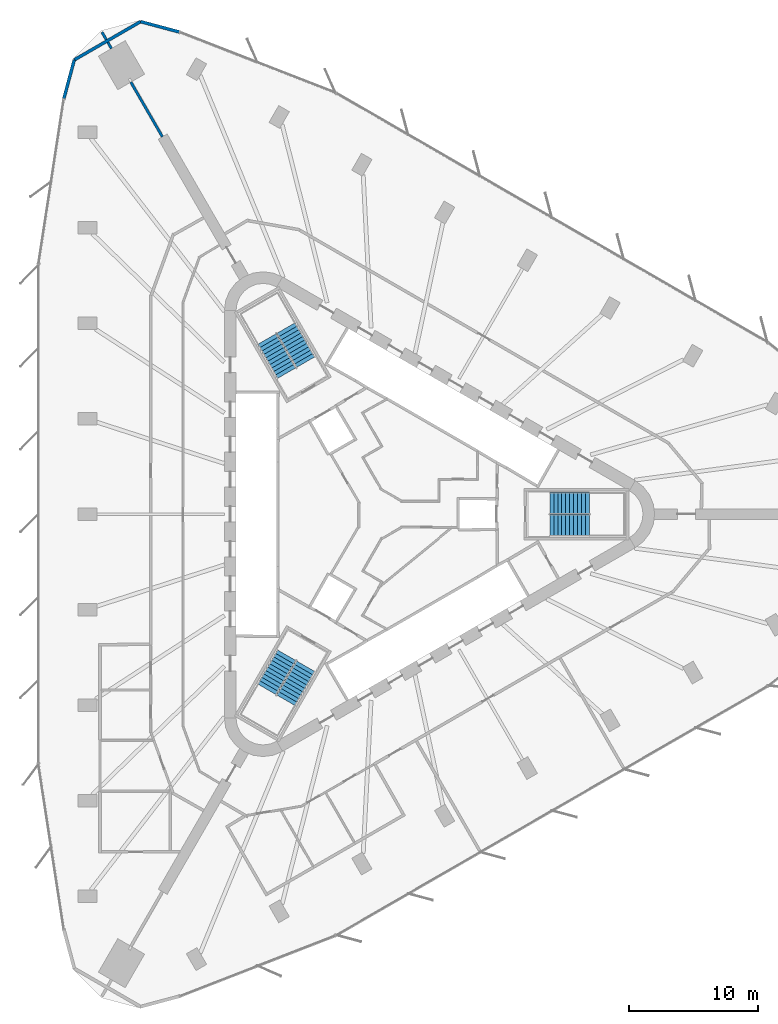
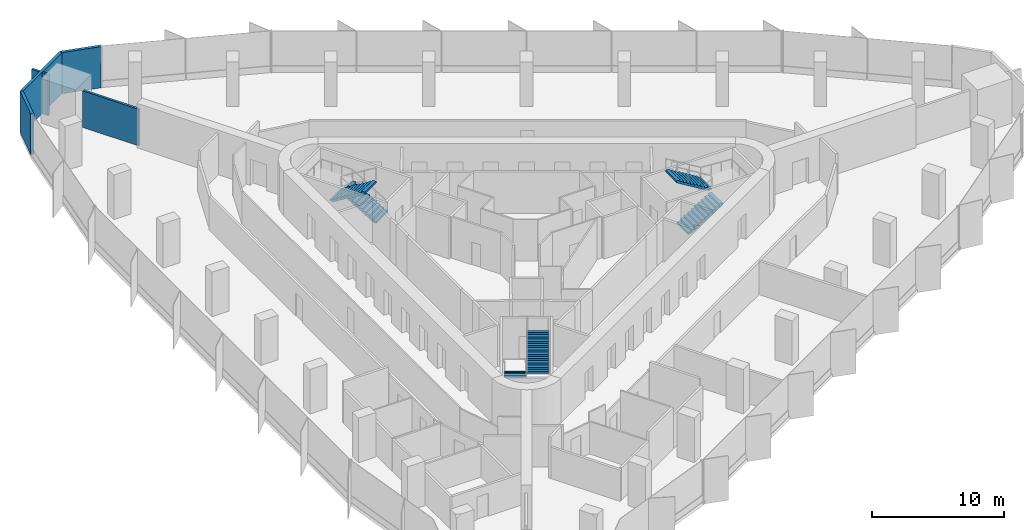
# One storey, part 14 of 15: 6 stair flights, 6 walls, 3 elements without a shape of their own.
"""IFC4 building model written with IfcOpenShell, lengths in metres."""

from ifc_helpers import new_model, si_unit, direction, frame, frame_2d, origin, place, context, subcontext, project, spatial, polyline, rectangle, outline, extrude, material, layer, layer_set, type_object, element, aggregate, save


model = new_model("IFC4")

# Units and contexts
model_context = context("Model", 3, precision=1e-05, world=origin(), true_north=direction((0.0, 1.0)))
body_context = subcontext(model_context, "Body", "Model", "MODEL_VIEW")
ifc_project = project(units=[si_unit("LENGTHUNIT", "METRE"), si_unit("AREAUNIT", "SQUARE_METRE"), si_unit("VOLUMEUNIT", "CUBIC_METRE"), si_unit("PLANEANGLEUNIT", "RADIAN"), si_unit("MASSUNIT", "GRAM", prefix="KILO")], contexts=[model_context])

# Site, building, storey
site_placement = place(None, origin())
site = spatial("IfcSite", under=ifc_project, at=site_placement, CompositionType="ELEMENT")
building_placement = place(site_placement, origin())
building = spatial("IfcBuilding", under=site, at=building_placement, Name="Tanit Gate Tower", CompositionType="ELEMENT")
storey_placement = place(building_placement, frame((0.0, 0.0, 131.60009765625)))
storey = spatial("IfcBuildingStorey", under=building, at=storey_placement, Name="L28", CompositionType="ELEMENT", Elevation=131.60009765625)

# Walls
ifc_material_1 = material(Name="Concrete C30/37 with bronze anodised aluminium cladding", Category="concrete")
ifc_layer_1 = layer(ifc_material_1, 0.239990234375)
ifc_layer_set_1 = layer_set([ifc_layer_1], Name="Facade wall bronze clad 240")
wall_type_1 = type_object("IfcWallType", Name="Facade wall bronze clad 240", PredefinedType="SOLIDWALL", material=ifc_layer_set_1)
wall_1_placement = place(storey_placement, frame((-15.596435546875, 37.322265625, 0.0), z_axis=(0.0, 0.0, 1.0), x_axis=(-0.965937138664, 0.258776823055, 0.0)))
element("IfcWall", 1, at=wall_1_placement, inside=storey, type_object=wall_type_1, Name="Bronze-clad facade wall L28 NW.arc1", PredefinedType="SOLIDWALL", context=body_context, shape_type="SweptSolid", body=[
    extrude(rectangle(XDim=3.095458984375, YDim=0.239990234375, at=frame_2d((1.5478515625, 0.0))), origin(), (0.0, 0.0, 1.0), 3.7998046875),
])
wall_2_placement = place(storey_placement, frame((-18.58642578125, 38.123291015625, 0.0), z_axis=(0.0, 0.0, 1.0), x_axis=(-0.866020370013, -0.500008718647, 0.0)))
element("IfcWall", 2, at=wall_2_placement, inside=storey, type_object=wall_type_1, Name="Bronze-clad facade wall L28 NW.arc2", PredefinedType="SOLIDWALL", context=body_context, shape_type="SweptSolid", body=[
    extrude(rectangle(XDim=5.9306640625, YDim=0.239990234375, at=frame_2d((2.96533203125, 0.0))), origin(), (0.0, 0.0, 1.0), 3.7998046875),
])
wall_3_placement = place(storey_placement, frame((-23.722412109375, 35.157958984375, 0.0), z_axis=(0.0, 0.0, 1.0), x_axis=(-0.258850410475, -0.965917421417, 0.0)))
element("IfcWall", 3, at=wall_3_placement, inside=storey, type_object=wall_type_1, Name="Bronze-clad facade wall L28 NW.arc3", PredefinedType="SOLIDWALL", context=body_context, shape_type="SweptSolid", body=[
    extrude(rectangle(XDim=3.095458984375, YDim=0.239990234375, at=frame_2d((1.5478515625, 0.0))), origin(), (0.0, 0.0, 1.0), 3.7998046875),
])
ifc_material_2 = material(Name="Fire-rated gypsum board partition")
ifc_layer_2 = layer(ifc_material_2, 0.199951171875)
ifc_layer_set_2 = layer_set([ifc_layer_2], Name="INT-WALL-COMPARTMENT")
wall_type_2 = type_object("IfcWallType", Name="INT-WALL-COMPARTMENT", PredefinedType="PARTITIONING", material=ifc_layer_set_2)
wall_4_placement = place(storey_placement, frame((-21.57373046875, 37.306884765625, 0.0), z_axis=(0.0, 0.0, 1.0), x_axis=(0.499880961361, -0.866094119867, 0.0)))
element("IfcWall", 4, at=wall_4_placement, inside=storey, type_object=wall_type_2, Name="Wall Compartment W115", PredefinedType="PARTITIONING", context=body_context, shape_type="SweptSolid", body=[
    extrude(rectangle(XDim=0.666748046875, YDim=0.199951171875, at=frame_2d((0.33349609375, 0.0))), origin(), (0.0, 0.0, 1.0), 3.7998046875),
])
wall_5_placement = place(storey_placement, frame((-21.12060546875, 36.521728515625, 0.0), z_axis=(0.0, 0.0, 1.0), x_axis=(0.500161656815, -0.86593205106, 0.0)))
element("IfcWall", 5, at=wall_5_placement, inside=storey, type_object=wall_type_2, Name="Wall Compartment W115x1", PredefinedType="PARTITIONING", context=body_context, shape_type="SweptSolid", body=[
    extrude(rectangle(XDim=0.561279296875, YDim=0.199951171875, at=frame_2d((0.28076171875, 0.0))), origin(), (0.0, 0.0, 1.0), 3.7998046875),
])
wall_6_placement = place(storey_placement, frame((-19.33984375, 33.437744140625, 0.0), z_axis=(0.0, 0.0, 1.0), x_axis=(0.500002508028, -0.866023955769, 0.0)))
element("IfcWall", 6, at=wall_6_placement, inside=storey, type_object=wall_type_2, Name="Wall Compartment W116", PredefinedType="PARTITIONING", context=body_context, shape_type="SweptSolid", body=[
    extrude(rectangle(XDim=4.8798828125, YDim=0.199951171875, at=frame_2d((2.43994140625, 0.0))), origin(), (0.0, 0.0, 1.0), 3.369873046875),
])

# Stair, stair flights
ifc_material_3 = material(Name="Concrete C40/50", Category="concrete")
stair_type = type_object("IfcStairType", Name="INT-STAIR-EXIT", PredefinedType="HALF_TURN_STAIR", material=ifc_material_3)
stair_1_placement = place(storey_placement, origin())
stair_1 = element("IfcStair", 7, at=stair_1_placement, inside=storey, type_object=stair_type, Name="L28 STAIR S1", PredefinedType="HALF_TURN_STAIR")
ifc_material_4 = material(Name="Concrete C40/50", Category="concrete")
stair_flight_type = type_object("IfcStairFlightType", Name="INT-STAIR-FLIGHT", PredefinedType="STRAIGHT", material=ifc_material_4)
stair_flight_1_placement = place(storey_placement, frame((13.094970703125, -0.8525390625, 0.0), z_axis=(0.0, 0.0, 1.0), x_axis=(1.0, 0.0, 0.0)))
stair_flight_1 = element("IfcStairFlight", 8, at=stair_flight_1_placement, type_object=stair_flight_type, Name="S1 flight 1", NumberOfRisers=11, NumberOfTreads=10, PredefinedType="STRAIGHT", RiserHeight=0.186363636, TreadLength=0.3051, context=body_context, shape_type="SweptSolid", body=[
    extrude(outline(polyline([(0.0, 0.0), (0.0, 0.186279296875), (0.30517578125, 0.186279296875), (0.30517578125, 0.372802734375), (0.610107421875, 0.372802734375), (0.610107421875, 0.55908203125), (0.915283203125, 0.55908203125), (0.915283203125, 0.745361328125), (1.220458984375, 0.745361328125), (1.220458984375, 0.931884765625), (1.525390625, 0.931884765625), (1.525390625, 1.1181640625), (1.83056640625, 1.1181640625), (1.83056640625, 1.304443359375), (2.1357421875, 1.304443359375), (2.1357421875, 1.490966796875), (2.44091796875, 1.490966796875), (2.44091796875, 1.67724609375), (2.745849609375, 1.67724609375), (2.745849609375, 1.863525390625), (3.051025390625, 1.863525390625), (3.051025390625, 2.050048828125), (3.051025390625, 1.68798828125), (0.28759765625, 0.0), (0.0, 0.0)])), frame((0.0, 0.84765625, 0.0), z_axis=(0.0, -1.0, 0.0), x_axis=(1.0, 0.0, 0.0)), (0.0, 0.0, 1.0), 1.695068359375),
])
stair_flight_2_placement = place(storey_placement, frame((16.14599609375, 0.8525390625, 2.0498046875), z_axis=(0.0, 0.0, 1.0), x_axis=(-1.0, 0.0, 0.0)))
stair_flight_2 = element("IfcStairFlight", 9, at=stair_flight_2_placement, type_object=stair_flight_type, Name="S1 flight 2", NumberOfRisers=11, NumberOfTreads=10, PredefinedType="STRAIGHT", RiserHeight=0.186363636, TreadLength=0.3051, context=body_context, shape_type="SweptSolid", body=[
    extrude(outline(polyline([(0.0, 0.0), (0.0, 0.186279296875), (0.30517578125, 0.186279296875), (0.30517578125, 0.372802734375), (0.610107421875, 0.372802734375), (0.610107421875, 0.55908203125), (0.915283203125, 0.55908203125), (0.915283203125, 0.745361328125), (1.220458984375, 0.745361328125), (1.220458984375, 0.931884765625), (1.525390625, 0.931884765625), (1.525390625, 1.1181640625), (1.83056640625, 1.1181640625), (1.83056640625, 1.304443359375), (2.1357421875, 1.304443359375), (2.1357421875, 1.490966796875), (2.44091796875, 1.490966796875), (2.44091796875, 1.67724609375), (2.745849609375, 1.67724609375), (2.745849609375, 1.863525390625), (3.051025390625, 1.863525390625), (3.051025390625, 2.050048828125), (3.051025390625, 1.68798828125), (0.28759765625, 0.0), (0.0, 0.0)])), frame((0.0, 0.84765625, 0.0), z_axis=(0.0, -1.0, 0.0), x_axis=(1.0, 0.0, 0.0)), (0.0, 0.0, 1.0), 1.695068359375),
])
aggregate(stair_1, [stair_flight_1, stair_flight_2])

stair_2_placement = place(storey_placement, origin())
stair_2 = element("IfcStair", 10, at=stair_2_placement, inside=storey, type_object=stair_type, Name="L28 STAIR S2", PredefinedType="HALF_TURN_STAIR")
stair_flight_3_placement = place(storey_placement, frame((-5.808349609375, 11.766357421875, 0.0), z_axis=(0.0, 0.0, 1.0), x_axis=(-0.5, 0.866025403784, 0.0)))
stair_flight_3 = element("IfcStairFlight", 11, at=stair_flight_3_placement, type_object=stair_flight_type, Name="S2 flight 1", NumberOfRisers=11, NumberOfTreads=10, PredefinedType="STRAIGHT", RiserHeight=0.186363636, TreadLength=0.30492, context=body_context, shape_type="SweptSolid", body=[
    extrude(outline(polyline([(0.0, 0.0), (0.0, 0.186279296875), (0.304931640625, 0.186279296875), (0.304931640625, 0.372802734375), (0.60986328125, 0.372802734375), (0.60986328125, 0.55908203125), (0.914794921875, 0.55908203125), (0.914794921875, 0.745361328125), (1.2197265625, 0.745361328125), (1.2197265625, 0.931884765625), (1.524658203125, 0.931884765625), (1.524658203125, 1.1181640625), (1.82958984375, 1.1181640625), (1.82958984375, 1.304443359375), (2.134521484375, 1.304443359375), (2.134521484375, 1.490966796875), (2.439453125, 1.490966796875), (2.439453125, 1.67724609375), (2.744384765625, 1.67724609375), (2.744384765625, 1.863525390625), (3.04931640625, 1.863525390625), (3.04931640625, 2.050048828125), (3.04931640625, 1.68798828125), (0.287353515625, 0.0), (0.0, 0.0)])), frame((0.0, 0.84716796875, 0.0), z_axis=(0.0, -1.0, 0.0), x_axis=(1.0, 0.0, 0.0)), (0.0, 0.0, 1.0), 1.694091796875),
])
stair_flight_4_placement = place(storey_placement, frame((-8.810302734375, 13.553955078125, 2.0498046875), z_axis=(0.0, 0.0, 1.0), x_axis=(0.5, -0.866025403784, 0.0)))
stair_flight_4 = element("IfcStairFlight", 12, at=stair_flight_4_placement, type_object=stair_flight_type, Name="S2 flight 2", NumberOfRisers=11, NumberOfTreads=10, PredefinedType="STRAIGHT", RiserHeight=0.186363636, TreadLength=0.30492, context=body_context, shape_type="SweptSolid", body=[
    extrude(outline(polyline([(0.0, 0.0), (0.0, 0.186279296875), (0.304931640625, 0.186279296875), (0.304931640625, 0.372802734375), (0.60986328125, 0.372802734375), (0.60986328125, 0.55908203125), (0.914794921875, 0.55908203125), (0.914794921875, 0.745361328125), (1.2197265625, 0.745361328125), (1.2197265625, 0.931884765625), (1.524658203125, 0.931884765625), (1.524658203125, 1.1181640625), (1.82958984375, 1.1181640625), (1.82958984375, 1.304443359375), (2.134521484375, 1.304443359375), (2.134521484375, 1.490966796875), (2.439453125, 1.490966796875), (2.439453125, 1.67724609375), (2.744384765625, 1.67724609375), (2.744384765625, 1.863525390625), (3.04931640625, 1.863525390625), (3.04931640625, 2.050048828125), (3.04931640625, 1.68798828125), (0.287353515625, 0.0), (0.0, 0.0)])), frame((0.0, 0.84716796875, 0.0), z_axis=(0.0, -1.0, 0.0), x_axis=(1.0, 0.0, 0.0)), (0.0, 0.0, 1.0), 1.694091796875),
])
aggregate(stair_2, [stair_flight_3, stair_flight_4])

stair_3_placement = place(storey_placement, origin())
stair_3 = element("IfcStair", 13, at=stair_3_placement, inside=storey, type_object=stair_type, Name="L28 STAIR S3", PredefinedType="HALF_TURN_STAIR")
stair_flight_5_placement = place(storey_placement, frame((-7.285888671875, -10.914306640625, 0.0), z_axis=(0.0, 0.0, 1.0), x_axis=(-0.5, -0.866025403784, 0.0)))
stair_flight_5 = element("IfcStairFlight", 14, at=stair_flight_5_placement, type_object=stair_flight_type, Name="S3 flight 1", NumberOfRisers=11, NumberOfTreads=10, PredefinedType="STRAIGHT", RiserHeight=0.186363636, TreadLength=0.3051, context=body_context, shape_type="SweptSolid", body=[
    extrude(outline(polyline([(0.0, 0.0), (0.0, 0.186279296875), (0.30517578125, 0.186279296875), (0.30517578125, 0.372802734375), (0.610107421875, 0.372802734375), (0.610107421875, 0.55908203125), (0.915283203125, 0.55908203125), (0.915283203125, 0.745361328125), (1.220458984375, 0.745361328125), (1.220458984375, 0.931884765625), (1.525390625, 0.931884765625), (1.525390625, 1.1181640625), (1.83056640625, 1.1181640625), (1.83056640625, 1.304443359375), (2.1357421875, 1.304443359375), (2.1357421875, 1.490966796875), (2.44091796875, 1.490966796875), (2.44091796875, 1.67724609375), (2.745849609375, 1.67724609375), (2.745849609375, 1.863525390625), (3.051025390625, 1.863525390625), (3.051025390625, 2.050048828125), (3.051025390625, 1.68798828125), (0.28759765625, 0.0), (0.0, 0.0)])), frame((0.0, 0.84765625, 0.0), z_axis=(0.0, -1.0, 0.0), x_axis=(1.0, 0.0, 0.0)), (0.0, 0.0, 1.0), 1.695068359375),
])
stair_flight_6_placement = place(storey_placement, frame((-7.334716796875, -14.4091796875, 2.0498046875), z_axis=(0.0, 0.0, 1.0), x_axis=(0.5, 0.866025403784, 0.0)))
stair_flight_6 = element("IfcStairFlight", 15, at=stair_flight_6_placement, type_object=stair_flight_type, Name="S3 flight 2", NumberOfRisers=11, NumberOfTreads=10, PredefinedType="STRAIGHT", RiserHeight=0.186363636, TreadLength=0.3051, context=body_context, shape_type="SweptSolid", body=[
    extrude(outline(polyline([(0.0, 0.0), (0.0, 0.186279296875), (0.30517578125, 0.186279296875), (0.30517578125, 0.372802734375), (0.610107421875, 0.372802734375), (0.610107421875, 0.55908203125), (0.915283203125, 0.55908203125), (0.915283203125, 0.745361328125), (1.220458984375, 0.745361328125), (1.220458984375, 0.931884765625), (1.525390625, 0.931884765625), (1.525390625, 1.1181640625), (1.83056640625, 1.1181640625), (1.83056640625, 1.304443359375), (2.1357421875, 1.304443359375), (2.1357421875, 1.490966796875), (2.44091796875, 1.490966796875), (2.44091796875, 1.67724609375), (2.745849609375, 1.67724609375), (2.745849609375, 1.863525390625), (3.051025390625, 1.863525390625), (3.051025390625, 2.050048828125), (3.051025390625, 1.68798828125), (0.28759765625, 0.0), (0.0, 0.0)])), frame((0.0, 0.84765625, 0.0), z_axis=(0.0, -1.0, 0.0), x_axis=(1.0, 0.0, 0.0)), (0.0, 0.0, 1.0), 1.695068359375),
])
aggregate(stair_3, [stair_flight_5, stair_flight_6])

save(model, "model.ifc")
